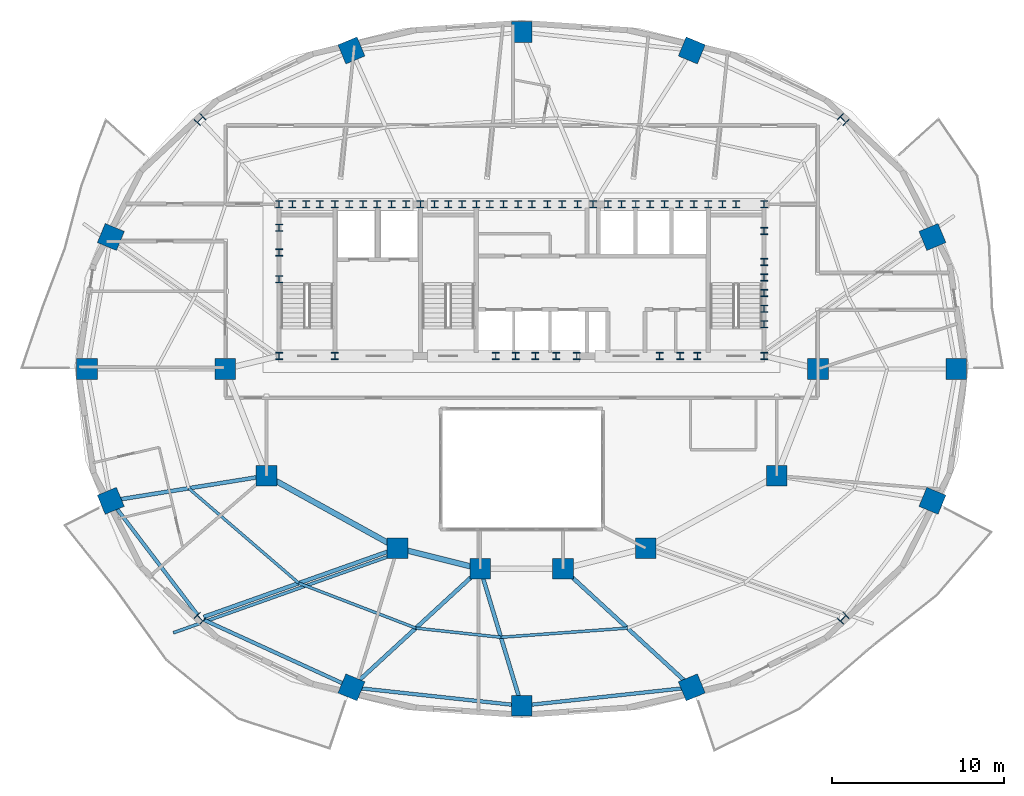
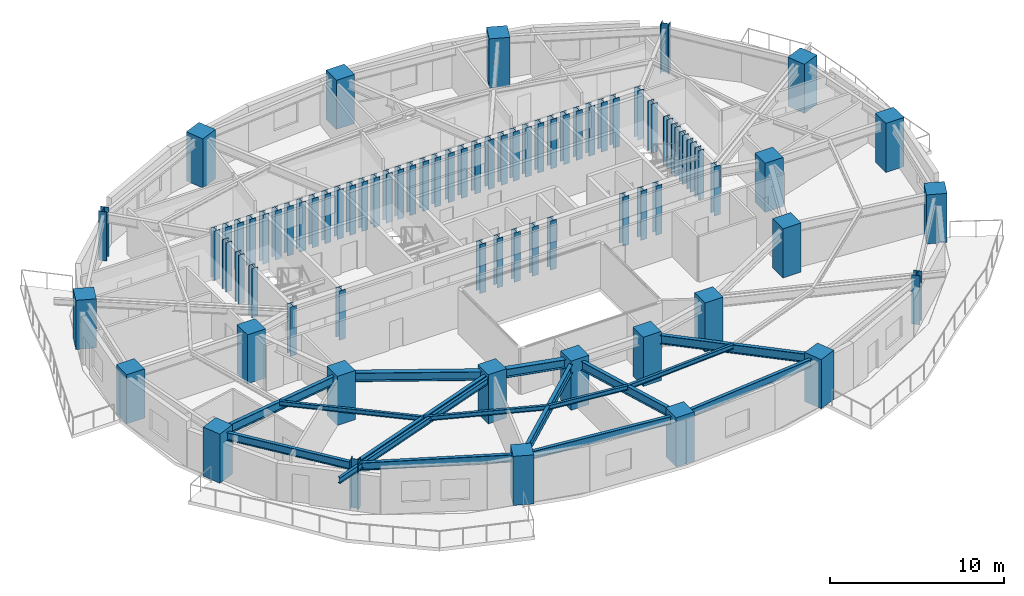
# One storey, part 1 of 13: 78 columns, 16 beams.
"""IFC4 building model written with IfcOpenShell, lengths in metres."""

from ifc_helpers import new_model, si_unit, direction, frame, origin, origin_2d, place, context, subcontext, project, spatial, rectangle, i_section, extrude, material, material_profile, profile_set, type_object, element, save


model = new_model("IFC4")

# Units and contexts
model_context = context("Model", 3, precision=1e-05, world=origin(), true_north=direction((0.0, 1.0)))
body_context = subcontext(model_context, "Body", "Model", "MODEL_VIEW")
ifc_project = project(units=[si_unit("LENGTHUNIT", "METRE"), si_unit("AREAUNIT", "SQUARE_METRE"), si_unit("VOLUMEUNIT", "CUBIC_METRE"), si_unit("PLANEANGLEUNIT", "RADIAN"), si_unit("MASSUNIT", "GRAM", prefix="KILO")], contexts=[model_context])

# Site, building, storey
site_placement = place(None, origin())
site = spatial("IfcSite", under=ifc_project, at=site_placement, CompositionType="ELEMENT")
building_placement = place(site_placement, origin())
building = spatial("IfcBuilding", under=site, at=building_placement, Name="Haldorwick Loom Tower", CompositionType="ELEMENT")
storey_placement = place(building_placement, frame((0.0, 0.0, 178.60009765625)))
storey = spatial("IfcBuildingStorey", under=building, at=storey_placement, Name="L48", CompositionType="ELEMENT", Elevation=178.60009765625)

# Columns
ifc_material_1 = material(Name="Concrete C60 (60 MPa)", Category="concrete")
ifc_material_profile_1 = material_profile(ifc_material_1, rectangle(XDim=1.199951171875, YDim=1.199951171875, at=origin_2d()), Name="RC1200X1200", Category="concrete")
ifc_profile_set_1 = profile_set([ifc_material_profile_1], Name="Concrete C60 (60 MPa)")
column_type_1 = type_object("IfcColumnType", Name="STR-COL-RC1200", PredefinedType="COLUMN", material=ifc_profile_set_1)
for number, where, z_axis, x_axis, name in (
    (1, (53.199951171875, 26.0, 0.0), (0.0, 0.0, 1.0), (1.0, 0.0, 0.0), "L48 Inner Column IC-01"),
    (2, (50.800048828125, 19.800048828125, 0.0), (0.0, 0.0, 1.0), (1.0, 0.0, 0.0), "L48 Inner Column IC-02"),
    (3, (43.199951171875, 15.60009765625, 0.0), (0.0, 0.0, 1.0), (1.0, 0.0, 0.0), "L48 Inner Column IC-03"),
    (4, (38.39990234375, 14.39990234375, 0.0), (0.0, 0.0, 1.0), (1.0, 0.0, 0.0), "L48 Inner Column IC-04"),
    (5, (33.60009765625, 14.39990234375, 0.0), (0.0, 0.0, 1.0), (1.0, 0.0, 0.0), "L48 Inner Column IC-05"),
    (6, (28.800048828125, 15.60009765625, 0.0), (0.0, 0.0, 1.0), (1.0, 0.0, 0.0), "L48 Inner Column IC-06"),
    (7, (21.199951171875, 19.800048828125, 0.0), (0.0, 0.0, 1.0), (1.0, 0.0, 0.0), "L48 Inner Column IC-07"),
    (8, (18.800048828125, 26.0, 0.0), (0.0, 0.0, 1.0), (1.0, 0.0, 0.0), "L48 Inner Column IC-08"),
    (9, (61.217041015625, 26.0, 0.0), (0.0, 0.0, 1.0), (1.0, 0.0, 0.0), "L48 Perimeter Pier Column P01"),
    (10, (59.836181640625, 33.65380859375, 0.0), (0.0, 0.0, 1.0), (0.923879532511, 0.382683432365, 0.0), "L48 Perimeter Pier Column P02"),
    (11, (45.873291015625, 44.4775390625, 0.0), (0.0, 0.0, 1.0), (0.382683432365, 0.923879532511, 0.0), "L48 Perimeter Pier Column P04"),
    (12, (36.0, 45.544677734375, 0.0), (0.0, 0.0, 1.0), (0.0, 1.0, 0.0), "L48 Perimeter Pier Column P05"),
    (13, (26.126708984375, 44.4775390625, 0.0), (0.0, 0.0, 1.0), (-0.382683432365, 0.923879532511, 0.0), "L48 Perimeter Pier Column P06"),
    (14, (12.163818359375, 33.65380859375, 0.0), (0.0, 0.0, 1.0), (-0.923879532511, 0.382683432365, 0.0), "L48 Perimeter Pier Column P08"),
    (15, (10.782958984375, 26.0, 0.0), (0.0, 0.0, 1.0), (-1.0, 0.0, 0.0), "L48 Perimeter Pier Column P09"),
    (16, (12.163818359375, 18.34619140625, 0.0), (0.0, 0.0, 1.0), (-0.923879532511, -0.382683432365, 0.0), "L48 Perimeter Pier Column P10"),
    (17, (26.126708984375, 7.5224609375, 0.0), (0.0, 0.0, 1.0), (-0.382683432365, -0.923879532511, 0.0), "L48 Perimeter Pier Column P12"),
    (18, (36.0, 6.455322265625, 0.0), (0.0, 0.0, 1.0), (0.0, -1.0, 0.0), "L48 Perimeter Pier Column P13"),
    (19, (45.873291015625, 7.5224609375, 0.0), (0.0, 0.0, 1.0), (0.382683432365, -0.923879532511, 0.0), "L48 Perimeter Pier Column P14"),
    (20, (59.836181640625, 18.34619140625, 0.0), (0.0, 0.0, 1.0), (0.923879532511, -0.382683432365, 0.0), "L48 Perimeter Pier Column P16"),
):
    element("IfcColumn", number, at=place(storey_placement, frame(where, z_axis=z_axis, x_axis=x_axis)), inside=storey, type_object=column_type_1, Name=name, PredefinedType="COLUMN", context=body_context, shape_type="SweptSolid", body=[
        extrude(rectangle(XDim=1.199951171875, YDim=1.199951171875, at=origin_2d()), origin(), (0.0, 0.0, 1.0), 3.449951171875),
    ])
ifc_material_2 = material(Name="Steel CSA G40.21 350W", Category="steel")
ifc_material_profile_2 = material_profile(ifc_material_2, i_section(OverallWidth=0.406005859375, OverallDepth=0.416015625, WebThickness=0.024169921875, FlangeThickness=0.03857421875, at=origin_2d()), Name="W360X382", Category="steel")
ifc_profile_set_2 = profile_set([ifc_material_profile_2], Name="Steel CSA G40.21 350W")
column_type_2 = type_object("IfcColumnType", Name="STR-COL-W360X382", PredefinedType="COLUMN", material=ifc_profile_set_2)
for number, where, z_axis, x_axis, name in (
    (21, (21.929931640625, 35.550048828125, 0.0), (0.0, 0.0, 1.0), (1.0, 0.0, 0.0), "L48 Core Pilaster CB-01"),
    (22, (23.5, 35.550048828125, 0.0), (0.0, 0.0, 1.0), (1.0, 0.0, 0.0), "L48 Core Pilaster CB-02"),
    (23, (25.169921875, 35.550048828125, 0.0), (0.0, 0.0, 1.0), (1.0, 0.0, 0.0), "L48 Core Pilaster CB-03"),
    (24, (26.800048828125, 35.550048828125, 0.0), (0.0, 0.0, 1.0), (1.0, 0.0, 0.0), "L48 Core Pilaster CB-04"),
    (25, (28.449951171875, 35.550048828125, 0.0), (0.0, 0.0, 1.0), (1.0, 0.0, 0.0), "L48 Core Pilaster CB-05"),
    (26, (30.1298828125, 35.550048828125, 0.0), (0.0, 0.0, 1.0), (1.0, 0.0, 0.0), "L48 Core Pilaster CB-06"),
    (27, (31.75, 35.550048828125, 0.0), (0.0, 0.0, 1.0), (1.0, 0.0, 0.0), "L48 Core Pilaster CB-07"),
    (28, (33.3701171875, 35.550048828125, 0.0), (0.0, 0.0, 1.0), (1.0, 0.0, 0.0), "L48 Core Pilaster CB-08"),
    (29, (34.949951171875, 35.550048828125, 0.0), (0.0, 0.0, 1.0), (1.0, 0.0, 0.0), "L48 Core Pilaster CB-09"),
    (30, (36.60009765625, 35.550048828125, 0.0), (0.0, 0.0, 1.0), (1.0, 0.0, 0.0), "L48 Core Pilaster CB-10"),
    (31, (38.35009765625, 35.550048828125, 0.0), (0.0, 0.0, 1.0), (1.0, 0.0, 0.0), "L48 Core Pilaster CB-11"),
    (32, (40.14990234375, 35.550048828125, 0.0), (0.0, 0.0, 1.0), (1.0, 0.0, 0.0), "L48 Core Pilaster CB-12"),
    (33, (41.800048828125, 35.550048828125, 0.0), (0.0, 0.0, 1.0), (1.0, 0.0, 0.0), "L48 Core Pilaster CB-13"),
    (34, (43.449951171875, 35.550048828125, 0.0), (0.0, 0.0, 1.0), (1.0, 0.0, 0.0), "L48 Core Pilaster CB-14"),
    (35, (45.14990234375, 35.550048828125, 0.0), (0.0, 0.0, 1.0), (1.0, 0.0, 0.0), "L48 Core Pilaster CB-15"),
    (36, (46.830078125, 35.550048828125, 0.0), (0.0, 0.0, 1.0), (1.0, 0.0, 0.0), "L48 Core Pilaster CB-16"),
    (37, (48.449951171875, 35.550048828125, 0.0), (0.0, 0.0, 1.0), (1.0, 0.0, 0.0), "L48 Core Pilaster CB-17"),
    (38, (50.070068359375, 35.550048828125, 0.0), (0.0, 0.0, 1.0), (1.0, 0.0, 0.0), "L48 Core Pilaster CB-18"),
    (39, (21.929931640625, 26.75, 0.0), (0.0, 0.0, 1.0), (1.0, 0.0, 0.0), "L48 Core Pilaster CB-19"),
    (40, (25.169921875, 26.75, 0.0), (0.0, 0.0, 1.0), (1.0, 0.0, 0.0), "L48 Core Pilaster CB-20"),
    (41, (34.5, 26.75, 0.0), (0.0, 0.0, 1.0), (1.0, 0.0, 0.0), "L48 Core Pilaster CB-21"),
    (42, (36.800048828125, 26.75, 0.0), (0.0, 0.0, 1.0), (1.0, 0.0, 0.0), "L48 Core Pilaster CB-22"),
    (43, (39.199951171875, 26.75, 0.0), (0.0, 0.0, 1.0), (1.0, 0.0, 0.0), "L48 Core Pilaster CB-23"),
    (44, (45.199951171875, 26.75, 0.0), (0.0, 0.0, 1.0), (1.0, 0.0, 0.0), "L48 Core Pilaster CB-24"),
    (45, (50.070068359375, 26.75, 0.0), (0.0, 0.0, 1.0), (1.0, 0.0, 0.0), "L48 Core Pilaster CB-25"),
    (46, (21.929931640625, 31.199951171875, 0.0), (0.0, 0.0, 1.0), (1.0, 0.0, 0.0), "L48 Core Pilaster CB-26"),
    (47, (21.929931640625, 32.75, 0.0), (0.0, 0.0, 1.0), (1.0, 0.0, 0.0), "L48 Core Pilaster CB-27"),
    (48, (21.929931640625, 34.199951171875, 0.0), (0.0, 0.0, 1.0), (1.0, 0.0, 0.0), "L48 Core Pilaster CB-28"),
    (49, (50.070068359375, 28.60009765625, 0.0), (0.0, 0.0, 1.0), (1.0, 0.0, 0.0), "L48 Core Pilaster CB-29"),
    (50, (50.070068359375, 30.39990234375, 0.0), (0.0, 0.0, 1.0), (1.0, 0.0, 0.0), "L48 Core Pilaster CB-30"),
    (51, (50.070068359375, 32.199951171875, 0.0), (0.0, 0.0, 1.0), (1.0, 0.0, 0.0), "L48 Core Pilaster CB-31"),
    (52, (50.070068359375, 34.0, 0.0), (0.0, 0.0, 1.0), (1.0, 0.0, 0.0), "L48 Core Pilaster CB-32"),
    (53, (22.699951171875, 35.550048828125, 0.0), (0.0, 0.0, 1.0), (1.0, 0.0, 0.0), "L48 Core Pilaster CB-33"),
    (54, (27.6201171875, 35.550048828125, 0.0), (0.0, 0.0, 1.0), (1.0, 0.0, 0.0), "L48 Core Pilaster CB-34"),
    (55, (32.550048828125, 35.550048828125, 0.0), (0.0, 0.0, 1.0), (1.0, 0.0, 0.0), "L48 Core Pilaster CB-35"),
    (56, (37.5, 35.550048828125, 0.0), (0.0, 0.0, 1.0), (1.0, 0.0, 0.0), "L48 Core Pilaster CB-36"),
    (57, (42.6201171875, 35.550048828125, 0.0), (0.0, 0.0, 1.0), (1.0, 0.0, 0.0), "L48 Core Pilaster CB-37"),
    (58, (47.64990234375, 35.550048828125, 0.0), (0.0, 0.0, 1.0), (1.0, 0.0, 0.0), "L48 Core Pilaster CB-38"),
    (59, (24.300048828125, 35.550048828125, 0.0), (0.0, 0.0, 1.0), (1.0, 0.0, 0.0), "L48 Core Pilaster CB-39"),
    (60, (26.0, 35.550048828125, 0.0), (0.0, 0.0, 1.0), (1.0, 0.0, 0.0), "L48 Core Pilaster CB-40"),
    (61, (29.300048828125, 35.550048828125, 0.0), (0.0, 0.0, 1.0), (1.0, 0.0, 0.0), "L48 Core Pilaster CB-41"),
    (62, (30.949951171875, 35.550048828125, 0.0), (0.0, 0.0, 1.0), (1.0, 0.0, 0.0), "L48 Core Pilaster CB-42"),
    (63, (34.14990234375, 35.550048828125, 0.0), (0.0, 0.0, 1.0), (1.0, 0.0, 0.0), "L48 Core Pilaster CB-43"),
    (64, (35.800048828125, 35.550048828125, 0.0), (0.0, 0.0, 1.0), (1.0, 0.0, 0.0), "L48 Core Pilaster CB-44"),
    (65, (39.25, 35.550048828125, 0.0), (0.0, 0.0, 1.0), (1.0, 0.0, 0.0), "L48 Core Pilaster CB-45"),
    (66, (41.0, 35.550048828125, 0.0), (0.0, 0.0, 1.0), (1.0, 0.0, 0.0), "L48 Core Pilaster CB-46"),
    (67, (44.300048828125, 35.550048828125, 0.0), (0.0, 0.0, 1.0), (1.0, 0.0, 0.0), "L48 Core Pilaster CB-47"),
    (68, (46.0, 35.550048828125, 0.0), (0.0, 0.0, 1.0), (1.0, 0.0, 0.0), "L48 Core Pilaster CB-48"),
    (69, (50.070068359375, 29.5, 0.0), (0.0, 0.0, 1.0), (1.0, 0.0, 0.0), "L48 Core Pilaster CB-49"),
    (70, (50.070068359375, 31.300048828125, 0.0), (0.0, 0.0, 1.0), (1.0, 0.0, 0.0), "L48 Core Pilaster CB-50"),
    (71, (35.64990234375, 26.75, 0.0), (0.0, 0.0, 1.0), (1.0, 0.0, 0.0), "L48 Core Pilaster CB-51"),
    (72, (38.0, 26.75, 0.0), (0.0, 0.0, 1.0), (1.0, 0.0, 0.0), "L48 Core Pilaster CB-52"),
    (73, (44.0, 26.75, 0.0), (0.0, 0.0, 1.0), (1.0, 0.0, 0.0), "L48 Core Pilaster CB-53"),
    (74, (46.199951171875, 26.75, 0.0), (0.0, 0.0, 1.0), (1.0, 0.0, 0.0), "L48 Core Pilaster CB-54"),
):
    element("IfcColumn", number, at=place(storey_placement, frame(where, z_axis=z_axis, x_axis=x_axis)), inside=storey, type_object=column_type_2, Name=name, PredefinedType="COLUMN", context=body_context, shape_type="SweptSolid", body=[
        extrude(i_section(OverallWidth=0.406005859375, OverallDepth=0.416015625, WebThickness=0.024169921875, FlangeThickness=0.03857421875, at=origin_2d()), origin(), (0.0, 0.0, 1.0), 3.449951171875),
    ])
ifc_material_3 = material(Name="Steel CSA G40.21 350WT", Category="steel")
ifc_material_profile_3 = material_profile(ifc_material_3, i_section(OverallWidth=0.5, OverallDepth=0.5, WebThickness=0.02197265625, FlangeThickness=0.031982421875, at=origin_2d()), Name="WWF500X500", Category="steel")
ifc_profile_set_3 = profile_set([ifc_material_profile_3], Name="Steel CSA G40.21 350WT")
column_type_3 = type_object("IfcColumnType", Name="STR-COL-WWF500", PredefinedType="COLUMN", material=ifc_profile_set_3)
for number, where, z_axis, x_axis, name in (
    (75, (54.655517578125, 40.464111328125, 0.0), (0.0, 0.0, 1.0), (0.707106781187, 0.707106781187, 0.0), "L48 Perimeter Pier Column P03"),
    (76, (17.344482421875, 40.464111328125, 0.0), (0.0, 0.0, 1.0), (-0.707106781187, 0.707106781187, 0.0), "L48 Perimeter Pier Column P07"),
    (77, (17.344482421875, 11.535888671875, 0.0), (0.0, 0.0, 1.0), (-0.707106781187, -0.707106781187, 0.0), "L48 Perimeter Pier Column P11"),
    (78, (54.655517578125, 11.535888671875, 0.0), (0.0, 0.0, 1.0), (0.707106781187, -0.707106781187, 0.0), "L48 Perimeter Pier Column P15"),
):
    element("IfcColumn", number, at=place(storey_placement, frame(where, z_axis=z_axis, x_axis=x_axis)), inside=storey, type_object=column_type_3, Name=name, PredefinedType="COLUMN", context=body_context, shape_type="SweptSolid", body=[
        extrude(i_section(OverallWidth=0.5, OverallDepth=0.5, WebThickness=0.02197265625, FlangeThickness=0.031982421875, at=origin_2d()), origin(), (0.0, 0.0, 1.0), 3.449951171875),
    ])

# Beams
ifc_material_profile_4 = material_profile(ifc_material_2, i_section(OverallWidth=0.179931640625, OverallDepth=0.4130859375, WebThickness=0.009765625, FlangeThickness=0.01611328125, at=origin_2d()), Name="W410X74", Category="steel")
ifc_profile_set_4 = profile_set([ifc_material_profile_4], Name="Steel CSA G40.21 350W")
beam_type_1 = type_object("IfcBeamType", Name="STR-BM-BAL410", PredefinedType="BEAM", material=ifc_profile_set_4)
beam_1_placement = place(storey_placement, frame((28.403564453125, 15.162109375, 3.00341796875), z_axis=(-0.942447955832, -0.334352883266, 0.0), x_axis=(0.334352883266, -0.942447955832, 0.0)))
element("IfcBeam", 79, at=beam_1_placement, inside=storey, type_object=beam_type_1, Name="L48 Continuous Back-Spanned Balcony Beam 2", PredefinedType="BEAM", context=body_context, shape_type="SweptSolid", body=[
    extrude(i_section(OverallWidth=0.179931640625, OverallDepth=0.4130859375, WebThickness=0.009765625, FlangeThickness=0.01611328125, at=origin_2d()), origin(), (0.0, 0.0, 1.0), 13.385009765625),
])
ifc_material_profile_5 = material_profile(ifc_material_2, i_section(OverallWidth=0.166015625, OverallDepth=0.31298828125, WebThickness=0.006591796875, FlangeThickness=0.01123046875, at=origin_2d()), Name="W310X45", Category="steel")
ifc_profile_set_5 = profile_set([ifc_material_profile_5], Name="Steel CSA G40.21 350W")
beam_type_2 = type_object("IfcBeamType", Name="STR-BM-J310", PredefinedType="JOIST", material=ifc_profile_set_5)
beam_2_placement = place(storey_placement, frame((16.681884765625, 19.072998046875, 3.053466796875), z_axis=(0.75763401328, -0.652679631918, 0.0), x_axis=(0.652679631918, 0.75763401328, 0.0)))
element("IfcBeam", 80, at=beam_2_placement, inside=storey, type_object=beam_type_2, Name="L48 Mid-Bay Secondary Joist 10", PredefinedType="JOIST", context=body_context, shape_type="SweptSolid", body=[
    extrude(i_section(OverallWidth=0.166015625, OverallDepth=0.31298828125, WebThickness=0.006591796875, FlangeThickness=0.01123046875, at=origin_2d()), origin(), (0.0, 0.0, 1.0), 8.4345703125),
])
beam_3_placement = place(storey_placement, frame((23.072265625, 13.56787109375, 3.053466796875), z_axis=(0.933586737031, -0.358351509609, 0.0), x_axis=(0.358351509609, 0.933586737031, 0.0)))
element("IfcBeam", 81, at=beam_3_placement, inside=storey, type_object=beam_type_2, Name="L48 Mid-Bay Secondary Joist 11", PredefinedType="JOIST", context=body_context, shape_type="SweptSolid", body=[
    extrude(i_section(OverallWidth=0.166015625, OverallDepth=0.31298828125, WebThickness=0.006591796875, FlangeThickness=0.01123046875, at=origin_2d()), origin(), (0.0, 0.0, 1.0), 7.274169921875),
])
beam_4_placement = place(storey_placement, frame((29.86328125, 10.961181640625, 3.053466796875), z_axis=(0.994212584227, -0.107430616514, 0.0), x_axis=(0.107430616514, 0.994212584227, 0.0)))
element("IfcBeam", 82, at=beam_4_placement, inside=storey, type_object=beam_type_2, Name="L48 Mid-Bay Secondary Joist 12", PredefinedType="JOIST", context=body_context, shape_type="SweptSolid", body=[
    extrude(i_section(OverallWidth=0.166015625, OverallDepth=0.31298828125, WebThickness=0.006591796875, FlangeThickness=0.01123046875, at=origin_2d()), origin(), (0.0, 0.0, 1.0), 4.965576171875),
])
beam_5_placement = place(storey_placement, frame((34.800048828125, 10.427734375, 3.053466796875), z_axis=(0.997367082818, 0.072518288109, 0.0), x_axis=(-0.072518288109, 0.997367082818, 0.0)))
element("IfcBeam", 83, at=beam_5_placement, inside=storey, type_object=beam_type_2, Name="L48 Mid-Bay Secondary Joist 13", PredefinedType="JOIST", context=body_context, shape_type="SweptSolid", body=[
    extrude(i_section(OverallWidth=0.166015625, OverallDepth=0.31298828125, WebThickness=0.006591796875, FlangeThickness=0.01123046875, at=origin_2d()), origin(), (0.0, 0.0, 1.0), 7.35595703125),
])
ifc_material_profile_6 = material_profile(ifc_material_2, i_section(OverallWidth=0.2119140625, OverallDepth=0.5439453125, WebThickness=0.01318359375, FlangeThickness=0.021240234375, at=origin_2d()), Name="W530X123", Category="steel")
ifc_profile_set_6 = profile_set([ifc_material_profile_6], Name="Steel CSA G40.21 350W")
beam_type_3 = type_object("IfcBeamType", Name="STR-BM-SP530", PredefinedType="SPANDREL", material=ifc_profile_set_6)
beam_6_placement = place(storey_placement, frame((12.478759765625, 17.932373046875, 2.93798828125), z_axis=(0.605421569293, -0.79590497136, 0.0), x_axis=(0.79590497136, 0.605421569293, 0.0)))
element("IfcBeam", 84, at=beam_6_placement, inside=storey, type_object=beam_type_3, Name="L48 Perimeter Spandrel 10", PredefinedType="SPANDREL", context=body_context, shape_type="SweptSolid", body=[
    extrude(i_section(OverallWidth=0.2119140625, OverallDepth=0.5439453125, WebThickness=0.01318359375, FlangeThickness=0.021240234375, at=origin_2d()), origin(), (0.0, 0.0, 1.0), 7.81201171875),
])
beam_7_placement = place(storey_placement, frame((17.549072265625, 11.4423828125, 2.93798828125), z_axis=(0.909523899848, -0.415651627695, 0.0), x_axis=(0.415651627695, 0.909523899848, 0.0)))
element("IfcBeam", 85, at=beam_7_placement, inside=storey, type_object=beam_type_3, Name="L48 Perimeter Spandrel 11", PredefinedType="SPANDREL", context=body_context, shape_type="SweptSolid", body=[
    extrude(i_section(OverallWidth=0.2119140625, OverallDepth=0.5439453125, WebThickness=0.01318359375, FlangeThickness=0.021240234375, at=origin_2d()), origin(), (0.0, 0.0, 1.0), 8.910888671875),
])
for number, where, z_axis, x_axis, name in (
    (86, (26.643798828125, 7.466552734375, 2.93798828125), (0.994210140187, -0.107453232386, 0.0), (0.107453232386, 0.994210140187, 0.0), "L48 Perimeter Spandrel 12"),
    (87, (36.51708984375, 6.51123046875, 2.93798828125), (0.994210140187, 0.107453232386, 0.0), (-0.107453232386, 0.994210140187, 0.0), "L48 Perimeter Spandrel 13"),
):
    element("IfcBeam", number, at=place(storey_placement, frame(where, z_axis=z_axis, x_axis=x_axis)), inside=storey, type_object=beam_type_3, Name=name, PredefinedType="SPANDREL", context=body_context, shape_type="SweptSolid", body=[
        extrude(i_section(OverallWidth=0.2119140625, OverallDepth=0.5439453125, WebThickness=0.01318359375, FlangeThickness=0.021240234375, at=origin_2d()), origin(), (0.0, 0.0, 1.0), 8.890625),
    ])
ifc_material_profile_7 = material_profile(ifc_material_2, i_section(OverallWidth=0.324951171875, OverallDepth=0.615966796875, WebThickness=0.013916015625, FlangeThickness=0.021484375, at=origin_2d()), Name="W610X174", Category="steel")
ifc_profile_set_7 = profile_set([ifc_material_profile_7], Name="Steel CSA G40.21 350W")
beam_type_4 = type_object("IfcBeamType", Name="STR-BM-W610A", PredefinedType="BEAM", material=ifc_profile_set_7)
beam_8_placement = place(storey_placement, frame((33.095458984375, 14.526123046875, 2.90185546875), z_axis=(-0.970142500145, 0.242535625036, 0.0), x_axis=(-0.242535625036, -0.970142500145, 0.0)))
element("IfcBeam", 88, at=beam_8_placement, inside=storey, type_object=beam_type_4, Name="L48 Inner Ring Girder 6", PredefinedType="BEAM", context=body_context, shape_type="SweptSolid", body=[
    extrude(i_section(OverallWidth=0.324951171875, OverallDepth=0.615966796875, WebThickness=0.013916015625, FlangeThickness=0.021484375, at=origin_2d()), origin(), (0.0, 0.0, 1.0), 3.90771484375),
])
beam_9_placement = place(storey_placement, frame((28.344970703125, 15.8515625, 2.90185546875), z_axis=(-0.875244382146, 0.483680960471, 0.0), x_axis=(-0.483680960471, -0.875244382146, 0.0)))
element("IfcBeam", 89, at=beam_9_placement, inside=storey, type_object=beam_type_4, Name="L48 Inner Ring Girder 7", PredefinedType="BEAM", context=body_context, shape_type="SweptSolid", body=[
    extrude(i_section(OverallWidth=0.324951171875, OverallDepth=0.615966796875, WebThickness=0.013916015625, FlangeThickness=0.021484375, at=origin_2d()), origin(), (0.0, 0.0, 1.0), 7.6435546875),
])
ifc_material_profile_8 = material_profile(ifc_material_2, i_section(OverallWidth=0.22998046875, OverallDepth=0.616943359375, WebThickness=0.01318359375, FlangeThickness=0.022216796875, at=origin_2d()), Name="W610X140", Category="steel")
ifc_profile_set_8 = profile_set([ifc_material_profile_8], Name="Steel CSA G40.21 350W")
beam_type_5 = type_object("IfcBeamType", Name="STR-BM-W610B", PredefinedType="BEAM", material=ifc_profile_set_8)
beam_10_placement = place(storey_placement, frame((20.6865234375, 19.71728515625, 2.9013671875), z_axis=(-0.987308639475, -0.158813256432, 0.0), x_axis=(0.158813256432, -0.987308639475, 0.0)))
element("IfcBeam", 90, at=beam_10_placement, inside=storey, type_object=beam_type_5, Name="L48 Radial Floor Girder 10", PredefinedType="BEAM", context=body_context, shape_type="SweptSolid", body=[
    extrude(i_section(OverallWidth=0.22998046875, OverallDepth=0.616943359375, WebThickness=0.01318359375, FlangeThickness=0.022216796875, at=origin_2d()), origin(), (0.0, 0.0, 1.0), 8.1123046875),
])
beam_11_placement = place(storey_placement, frame((28.309814453125, 15.426025390625, 2.9013671875), z_axis=(-0.942449496381, -0.334348540854, 0.0), x_axis=(0.334348540854, -0.942449496381, 0.0)))
element("IfcBeam", 91, at=beam_11_placement, inside=storey, type_object=beam_type_5, Name="L48 Radial Floor Girder 11", PredefinedType="BEAM", context=body_context, shape_type="SweptSolid", body=[
    extrude(i_section(OverallWidth=0.22998046875, OverallDepth=0.616943359375, WebThickness=0.01318359375, FlangeThickness=0.022216796875, at=origin_2d()), origin(), (0.0, 0.0, 1.0), 11.41015625),
])
beam_12_placement = place(storey_placement, frame((33.21728515625, 14.0478515625, 2.9013671875), z_axis=(-0.735810902934, -0.677187060658, 0.0), x_axis=(0.677187060658, -0.735810902934, 0.0)))
element("IfcBeam", 92, at=beam_12_placement, inside=storey, type_object=beam_type_5, Name="L48 Radial Floor Girder 12", PredefinedType="BEAM", context=body_context, shape_type="SweptSolid", body=[
    extrude(i_section(OverallWidth=0.22998046875, OverallDepth=0.616943359375, WebThickness=0.01318359375, FlangeThickness=0.022216796875, at=origin_2d()), origin(), (0.0, 0.0, 1.0), 9.1162109375),
])
beam_13_placement = place(storey_placement, frame((33.75048828125, 13.902099609375, 2.9013671875), z_axis=(0.28917091681, -0.957277483738, 0.0), x_axis=(0.957277483738, 0.28917091681, 0.0)))
element("IfcBeam", 93, at=beam_13_placement, inside=storey, type_object=beam_type_5, Name="L48 Radial Floor Girder 13", PredefinedType="BEAM", context=body_context, shape_type="SweptSolid", body=[
    extrude(i_section(OverallWidth=0.22998046875, OverallDepth=0.616943359375, WebThickness=0.01318359375, FlangeThickness=0.022216796875, at=origin_2d()), origin(), (0.0, 0.0, 1.0), 7.259033203125),
])
beam_14_placement = place(storey_placement, frame((38.78271484375, 14.0478515625, 2.9013671875), z_axis=(0.735810902934, -0.677187060658, 0.0), x_axis=(0.677187060658, 0.735810902934, 0.0)))
element("IfcBeam", 94, at=beam_14_placement, inside=storey, type_object=beam_type_5, Name="L48 Radial Floor Girder 14", PredefinedType="BEAM", context=body_context, shape_type="SweptSolid", body=[
    extrude(i_section(OverallWidth=0.22998046875, OverallDepth=0.616943359375, WebThickness=0.01318359375, FlangeThickness=0.022216796875, at=origin_2d()), origin(), (0.0, 0.0, 1.0), 9.1162109375),
])

save(model, "model.ifc")
